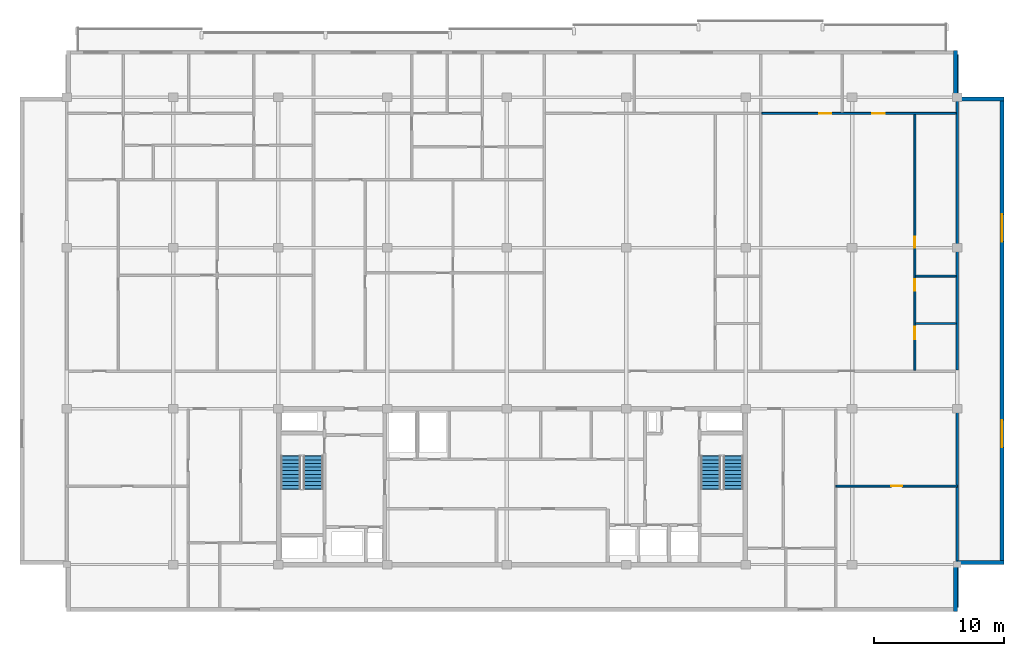
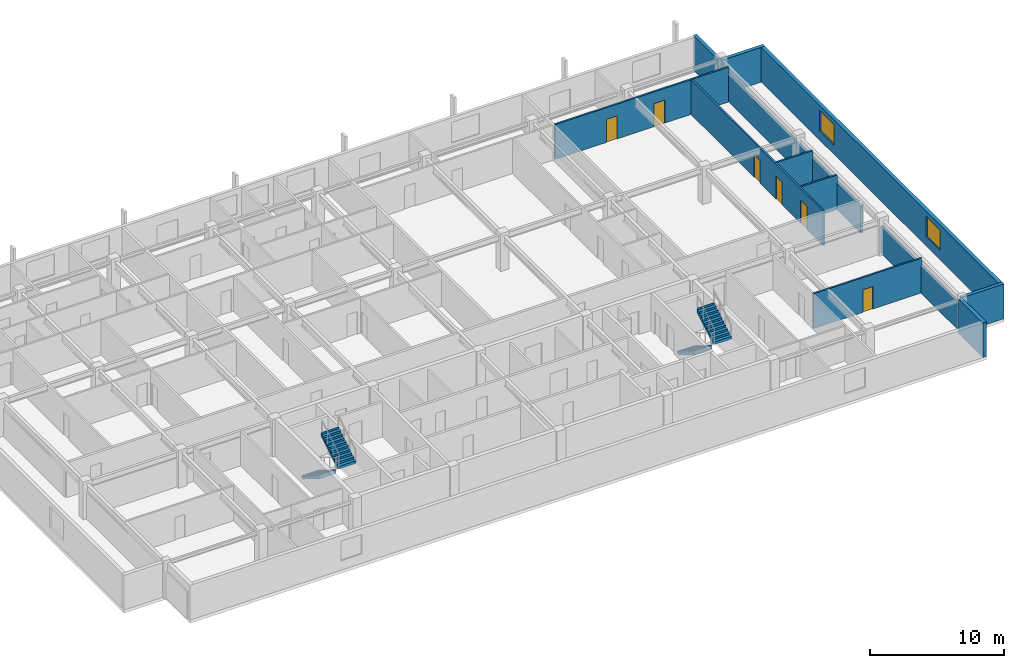
# One storey, part 9 of 11: 12 walls, 6 doors, 4 stair flights, 2 windows, 8 openings, 2 elements without a shape of their own.
"""IFC4 building model written with IfcOpenShell, lengths in metres."""

from ifc_helpers import new_model, si_unit, direction, frame, frame_2d, origin, place, context, subcontext, project, spatial, polyline, rectangle, outline, extrude, material, layer, layer_set, type_object, element, fill, aggregate, save


model = new_model("IFC4")

# Units and contexts
model_context = context("Model", 3, precision=1e-05, world=origin(), true_north=direction((0.0, 1.0)))
body_context = subcontext(model_context, "Body", "Model", "MODEL_VIEW")
ifc_project = project(units=[si_unit("LENGTHUNIT", "METRE"), si_unit("AREAUNIT", "SQUARE_METRE"), si_unit("VOLUMEUNIT", "CUBIC_METRE"), si_unit("PLANEANGLEUNIT", "RADIAN"), si_unit("MASSUNIT", "GRAM", prefix="KILO")], contexts=[model_context])

# Site, building, storey
site_placement = place(None, origin())
site = spatial("IfcSite", under=ifc_project, at=site_placement, CompositionType="ELEMENT")
building_placement = place(site_placement, origin())
building = spatial("IfcBuilding", under=site, at=building_placement, Name="Korimba Cascade Residences", CompositionType="ELEMENT")
storey_placement = place(building_placement, frame((0.0, 0.0, 249.35009765625)))
storey = spatial("IfcBuildingStorey", under=building, at=storey_placement, Name="L72", CompositionType="ELEMENT", Elevation=249.35009765625)

# Walls
ifc_material_1 = material(Name="Precast concrete C40/50", Category="concrete")
ifc_layer_1 = layer(ifc_material_1, 0.300048828125)
ifc_layer_set_1 = layer_set([ifc_layer_1], Name="Precast concrete C40/50")
wall_type_1 = type_object("IfcWallType", Name="EW-STONE-300", PredefinedType="STANDARD", material=ifc_layer_set_1)
wall_1_placement = place(storey_placement, frame((128.25, 51.60009765625, 0.0), z_axis=(0.0, 0.0, 1.0), x_axis=(0.0, 1.0, 0.0)))
element("IfcWall", 1, at=wall_1_placement, inside=storey, type_object=wall_type_1, Name="L72 T1 Perimeter Stone Wall E01", PredefinedType="STANDARD", context=body_context, shape_type="SweptSolid", body=[
    extrude(rectangle(XDim=3.599853515625, YDim=0.300048828125, at=frame_2d((1.7998046875, 0.0))), origin(), (0.0, 0.0, 1.0), 3.169921875),
])
wall_2_placement = place(storey_placement, frame((128.39990234375, 55.35009765625, 0.0), z_axis=(0.0, 0.0, 1.0), x_axis=(1.0, 0.0, 0.0)))
element("IfcWall", 2, at=wall_2_placement, inside=storey, type_object=wall_type_1, Name="L72 T1 Perimeter Stone Wall E02", PredefinedType="STANDARD", context=body_context, shape_type="SweptSolid", body=[
    extrude(rectangle(XDim=3.60009765625, YDim=0.300048828125, at=frame_2d((1.800048828125, 0.0))), origin(), (0.0, 0.0, 1.0), 3.169921875),
])

# Wall, openings, windows
wall_3_placement = place(storey_placement, frame((131.85009765625, 55.199951171875, 0.0), z_axis=(0.0, 0.0, 1.0), x_axis=(0.0, 1.0, 0.0)))
wall_3 = element("IfcWall", 3, at=wall_3_placement, inside=storey, type_object=wall_type_1, Name="L72 T1 Perimeter Stone Wall E03", PredefinedType="STANDARD", context=body_context, shape_type="SweptSolid", body=[
    extrude(rectangle(XDim=36.0, YDim=0.300048828125, at=frame_2d((18.0, 0.0))), origin(), (0.0, 0.0, 1.0), 3.169921875),
])
opening_1_placement = place(wall_3_placement, frame((9.030029296875, 0.0, 0.85009765625)))
opening_1 = element("IfcOpeningElement", 4, at=opening_1_placement, cuts=wall_3, Name="Opening W-03", PredefinedType="OPENING", context=body_context, shape_type="SweptSolid", body=[
    extrude(rectangle(XDim=2.10009765625, YDim=1.85009765625, at=frame_2d((1.050048828125, 0.925048828125))), frame((0.0, 0.16015625, 0.0), z_axis=(0.0, -1.0, 0.0), x_axis=(1.0, 0.0, 0.0)), (0.0, 0.0, 1.0), 0.320068359375),
])
opening_2_placement = place(wall_3_placement, frame((24.8701171875, 0.0, 0.85009765625)))
opening_2 = element("IfcOpeningElement", 5, at=opening_2_placement, cuts=wall_3, Name="Opening W-03", PredefinedType="OPENING", context=body_context, shape_type="SweptSolid", body=[
    extrude(rectangle(XDim=2.10009765625, YDim=1.85009765625, at=frame_2d((1.050048828125, 0.925048828125))), frame((0.0, 0.16015625, 0.0), z_axis=(0.0, -1.0, 0.0), x_axis=(1.0, 0.0, 0.0)), (0.0, 0.0, 1.0), 0.320068359375),
])
ifc_material_2 = material(Name="Double-Glazed Aluminium Window", Category="aluminium")
window_type = type_object("IfcWindowType", Name="WIN-CRN-2100", PartitioningType="DOUBLE_PANEL_HORIZONTAL", PredefinedType="WINDOW", material=ifc_material_2)
window_1_placement = place(opening_1_placement, origin())
window_1 = element("IfcWindow", 6, at=window_1_placement, inside=storey, type_object=window_type, Name="L72 T1 End View Window 3.1", OverallHeight=1.85009765625, OverallWidth=2.10009765625, PartitioningType="DOUBLE_PANEL_HORIZONTAL", PredefinedType="WINDOW", context=body_context, shape_type="SweptSolid", body=[
    extrude(rectangle(XDim=2.10009765625, YDim=1.85009765625, at=frame_2d((1.050048828125, 0.925048828125))), frame((0.0, 0.030029296875, 0.0), z_axis=(0.0, -1.0, 0.0), x_axis=(1.0, 0.0, 0.0)), (0.0, 0.0, 1.0), 0.06005859375),
])
fill(opening_1, window_1)
window_2_placement = place(opening_2_placement, origin())
window_2 = element("IfcWindow", 7, at=window_2_placement, inside=storey, type_object=window_type, Name="L72 T1 End View Window 3.2", OverallHeight=1.85009765625, OverallWidth=2.10009765625, PartitioningType="DOUBLE_PANEL_HORIZONTAL", PredefinedType="WINDOW", context=body_context, shape_type="SweptSolid", body=[
    extrude(rectangle(XDim=2.10009765625, YDim=1.85009765625, at=frame_2d((1.050048828125, 0.925048828125))), frame((0.0, 0.030029296875, 0.0), z_axis=(0.0, -1.0, 0.0), x_axis=(1.0, 0.0, 0.0)), (0.0, 0.0, 1.0), 0.06005859375),
])
fill(opening_2, window_2)

# Walls
for number, where, z_axis, x_axis, name in (
    (8, (132.0, 91.050048828125, 0.0), (0.0, 0.0, 1.0), (-1.0, 0.0, 0.0), "L72 T1 Perimeter Stone Wall E04"),
    (9, (128.25, 91.199951171875, 0.0), (0.0, 0.0, 1.0), (0.0, 1.0, 0.0), "L72 T1 Perimeter Stone Wall E05"),
):
    element("IfcWall", number, at=place(storey_placement, frame(where, z_axis=z_axis, x_axis=x_axis)), inside=storey, type_object=wall_type_1, Name=name, PredefinedType="STANDARD", context=body_context, shape_type="SweptSolid", body=[
        extrude(rectangle(XDim=3.60009765625, YDim=0.300048828125, at=frame_2d((1.800048828125, 0.0))), origin(), (0.0, 0.0, 1.0), 3.169921875),
    ])
ifc_layer_2 = layer(ifc_material_1, 0.199951171875)
ifc_layer_set_2 = layer_set([ifc_layer_2], Name="Precast concrete C40/50")
wall_type_2 = type_object("IfcWallType", Name="WAL-IT-200", PredefinedType="PARTITIONING", material=ifc_layer_set_2)
wall_4_placement = place(storey_placement, frame((128.39990234375, 51.89990234375, 0.0), z_axis=(0.0, 0.0, 1.0), x_axis=(0.0, 1.0, 0.0)))
element("IfcWall", 10, at=wall_4_placement, inside=storey, type_object=wall_type_2, Name="L72 Partition Wall WAL-L72-T1-FE-WR", PredefinedType="PARTITIONING", context=body_context, shape_type="SweptSolid", body=[
    extrude(rectangle(XDim=15.300048828125, YDim=0.199951171875, at=frame_2d((7.64990234375, 0.0))), origin(), (0.0, 0.0, 1.0), 2.47705078125),
])
wall_5_placement = place(storey_placement, frame((128.39990234375, 70.179931640625, 0.0), z_axis=(0.0, 0.0, 1.0), x_axis=(0.0, 1.0, 0.0)))
element("IfcWall", 11, at=wall_5_placement, inside=storey, type_object=wall_type_2, Name="L72 Partition Wall WAL-L72-T1-BNDWR", PredefinedType="PARTITIONING", context=body_context, shape_type="SweptSolid", body=[
    extrude(rectangle(XDim=24.320068359375, YDim=0.199951171875, at=frame_2d((12.16015625, 0.0))), origin(), (0.0, 0.0, 1.0), 2.47705078125),
])

# Wall, opening, door
ifc_material_3 = material(Name="Insulated Acoustic Stud Partition", Category="gypsum")
ifc_layer_3 = layer(ifc_material_3, 0.14990234375)
ifc_layer_set_3 = layer_set([ifc_layer_3], Name="Insulated Acoustic Stud Partition")
wall_type_3 = type_object("IfcWallType", Name="WAL-PART-150", PredefinedType="PARTITIONING", material=ifc_layer_set_3)
wall_6_placement = place(storey_placement, frame((119.050048828125, 61.25, 0.0), z_axis=(0.0, 0.0, 1.0), x_axis=(1.0, 0.0, 0.0)))
wall_6 = element("IfcWall", 12, at=wall_6_placement, inside=storey, type_object=wall_type_3, Name="L72 Partition Wall WAL-L72-T1-FE-STH", PredefinedType="PARTITIONING", context=body_context, shape_type="SweptSolid", body=[
    extrude(rectangle(XDim=9.349853515625, YDim=0.14990234375, at=frame_2d((4.6748046875, 0.0))), origin(), (0.0, 0.0, 1.0), 3.169921875),
])
opening_3_placement = place(wall_6_placement, frame((4.2548828125, 0.0, 0.0)))
opening_3 = element("IfcOpeningElement", 13, at=opening_3_placement, cuts=wall_6, Name="Opening D-BT1", PredefinedType="OPENING", context=body_context, shape_type="SweptSolid", body=[
    extrude(rectangle(XDim=0.840087890625, YDim=2.0400390625, at=frame_2d((0.419921875, 1.02001953125))), frame((0.0, 0.0849609375, 0.0), z_axis=(0.0, -1.0, 0.0), x_axis=(1.0, 0.0, 0.0)), (0.0, 0.0, 1.0), 0.169921875),
])
ifc_material_4 = material(Name="Moisture-Resistant Bathroom Timber Door", Category="wood")
door_type_1 = type_object("IfcDoorType", Name="DR-INT-850", OperationType="NOTDEFINED", PredefinedType="DOOR", material=ifc_material_4)
door_1_placement = place(opening_3_placement, origin())
door_1 = element("IfcDoor", 14, at=door_1_placement, inside=storey, type_object=door_type_1, Name="L72-T1-FE Dressing Store Door", OperationType="SINGLE_SWING_LEFT", OverallHeight=2.0400390625, OverallWidth=0.840087890625, PredefinedType="DOOR", context=body_context, shape_type="SweptSolid", body=[
    extrude(rectangle(XDim=0.840087890625, YDim=2.0400390625, at=frame_2d((0.419921875, 1.02001953125))), frame((0.0, 0.02490234375, 0.0), z_axis=(0.0, -1.0, 0.0), x_axis=(1.0, 0.0, 0.0)), (0.0, 0.0, 1.0), 0.050048828125),
])
fill(opening_3, door_1)

# Walls
for number, where, z_axis, x_axis, name in (
    (15, (125.18994140625, 73.77001953125, 0.0), (0.0, 0.0, 1.0), (1.0, 0.0, 0.0), "L72 Partition Wall WAL-L72-T1-U04-WCH"),
    (16, (125.18994140625, 77.419921875, 0.0), (0.0, 0.0, 1.0), (1.0, 0.0, 0.0), "L72 Partition Wall WAL-L72-T1-U04-WCH2"),
):
    element("IfcWall", number, at=place(storey_placement, frame(where, z_axis=z_axis, x_axis=x_axis)), inside=storey, type_object=wall_type_3, Name=name, PredefinedType="PARTITIONING", context=body_context, shape_type="SweptSolid", body=[
        extrude(rectangle(XDim=3.130126953125, YDim=0.14990234375, at=frame_2d((1.56494140625, 0.0))), origin(), (0.0, 0.0, 1.0), 3.169921875),
    ])

# Wall, openings, doors
wall_7_placement = place(storey_placement, frame((125.1298828125, 70.159912109375, 0.0), z_axis=(0.0, 0.0, 1.0), x_axis=(0.0, 1.0, 0.0)))
wall_7 = element("IfcWall", 17, at=wall_7_placement, inside=storey, type_object=wall_type_3, Name="L72 Partition Wall WAL-L72-T1-U04-WCV", PredefinedType="PARTITIONING", context=body_context, shape_type="SweptSolid", body=[
    extrude(rectangle(XDim=19.72998046875, YDim=0.14990234375, at=frame_2d((9.864990234375, 0.0))), origin(), (0.0, 0.0, 1.0), 3.169921875),
])
opening_4_placement = place(wall_7_placement, frame((2.406005859375, 0.0, 0.0)))
opening_4 = element("IfcOpeningElement", 18, at=opening_4_placement, cuts=wall_7, Name="Opening D-AC1", PredefinedType="OPENING", context=body_context, shape_type="SweptSolid", body=[
    extrude(rectangle(XDim=0.9599609375, YDim=2.10009765625, at=frame_2d((0.47998046875, 1.050048828125))), frame((0.0, 0.0849609375, 0.0), z_axis=(0.0, -1.0, 0.0), x_axis=(1.0, 0.0, 0.0)), (0.0, 0.0, 1.0), 0.169921875),
])
opening_5_placement = place(wall_7_placement, frame((6.132568359375, 0.0, 0.0)))
opening_5 = element("IfcOpeningElement", 19, at=opening_5_placement, cuts=wall_7, Name="Opening D-IN2", PredefinedType="OPENING", context=body_context, shape_type="SweptSolid", body=[
    extrude(rectangle(XDim=0.8798828125, YDim=2.06005859375, at=frame_2d((0.43994140625, 1.030029296875))), frame((0.0, 0.0849609375, 0.0), z_axis=(0.0, -1.0, 0.0), x_axis=(1.0, 0.0, 0.0)), (0.0, 0.0, 1.0), 0.169921875),
])
opening_6_placement = place(wall_7_placement, frame((9.445068359375, 0.0, 0.0)))
opening_6 = element("IfcOpeningElement", 20, at=opening_6_placement, cuts=wall_7, Name="Opening D-BT1", PredefinedType="OPENING", context=body_context, shape_type="SweptSolid", body=[
    extrude(rectangle(XDim=0.840087890625, YDim=2.0400390625, at=frame_2d((0.419921875, 1.02001953125))), frame((0.0, 0.0849609375, 0.0), z_axis=(0.0, -1.0, 0.0), x_axis=(1.0, 0.0, 0.0)), (0.0, 0.0, 1.0), 0.169921875),
])
ifc_material_5 = material(Name="Accessible Acoustic Timber WC Door", Category="wood")
door_type_2 = type_object("IfcDoorType", Name="DR-ACC-950", OperationType="NOTDEFINED", PredefinedType="DOOR", material=ifc_material_5)
door_2_placement = place(opening_4_placement, origin())
door_2 = element("IfcDoor", 21, at=door_2_placement, inside=storey, type_object=door_type_2, Name="L72-T1-U04 Accessible WC Door", OperationType="SINGLE_SWING_LEFT", OverallHeight=2.10009765625, OverallWidth=0.9599609375, PredefinedType="DOOR", context=body_context, shape_type="SweptSolid", body=[
    extrude(rectangle(XDim=0.9599609375, YDim=2.10009765625, at=frame_2d((0.47998046875, 1.050048828125))), frame((0.0, 0.02490234375, 0.0), z_axis=(0.0, -1.0, 0.0), x_axis=(1.0, 0.0, 0.0)), (0.0, 0.0, 1.0), 0.050048828125),
])
fill(opening_4, door_2)
door_3_placement = place(opening_6_placement, origin())
door_3 = element("IfcDoor", 22, at=door_3_placement, inside=storey, type_object=door_type_1, Name="L72-T1-U04 Suite Store Door", OperationType="SINGLE_SWING_LEFT", OverallHeight=2.0400390625, OverallWidth=0.840087890625, PredefinedType="DOOR", context=body_context, shape_type="SweptSolid", body=[
    extrude(rectangle(XDim=0.840087890625, YDim=2.0400390625, at=frame_2d((0.419921875, 1.02001953125))), frame((0.0, 0.02490234375, 0.0), z_axis=(0.0, -1.0, 0.0), x_axis=(1.0, 0.0, 0.0)), (0.0, 0.0, 1.0), 0.050048828125),
])
fill(opening_6, door_3)
ifc_material_6 = material(Name="Acoustic Timber Bedroom Door", Category="wood")
door_type_3 = type_object("IfcDoorType", Name="DR-INT-880", OperationType="NOTDEFINED", PredefinedType="DOOR", material=ifc_material_6)
door_4_placement = place(opening_5_placement, origin())
door_4 = element("IfcDoor", 23, at=door_4_placement, inside=storey, type_object=door_type_3, Name="L72-T1-U04 Restroom WC Door", OperationType="SINGLE_SWING_RIGHT", OverallHeight=2.06005859375, OverallWidth=0.8798828125, PredefinedType="DOOR", context=body_context, shape_type="SweptSolid", body=[
    extrude(rectangle(XDim=0.8798828125, YDim=2.06005859375, at=frame_2d((0.43994140625, 1.030029296875))), frame((0.0, 0.02490234375, 0.0), z_axis=(0.0, -1.0, 0.0), x_axis=(1.0, 0.0, 0.0)), (0.0, 0.0, 1.0), 0.050048828125),
])
fill(opening_5, door_4)

wall_8_placement = place(storey_placement, frame((113.339111328125, 89.949951171875, 0.0), z_axis=(0.0, 0.0, 1.0), x_axis=(1.0, 0.0, 0.0)))
wall_8 = element("IfcWall", 24, at=wall_8_placement, inside=storey, type_object=wall_type_3, Name="L72 Partition Wall WAL-L72-T1-U04-HZ", PredefinedType="PARTITIONING", context=body_context, shape_type="SweptSolid", body=[
    extrude(rectangle(XDim=14.98095703125, YDim=0.14990234375, at=frame_2d((7.490478515625, 0.0))), origin(), (0.0, 0.0, 1.0), 3.169921875),
])
opening_7_placement = place(wall_8_placement, frame((4.426025390625, 0.0, 0.0)))
opening_7 = element("IfcOpeningElement", 25, at=opening_7_placement, cuts=wall_8, Name="Opening D-IN0", PredefinedType="OPENING", context=body_context, shape_type="SweptSolid", body=[
    extrude(rectangle(XDim=0.93994140625, YDim=2.10009765625, at=frame_2d((0.469970703125, 1.050048828125))), frame((0.0, 0.0849609375, 0.0), z_axis=(0.0, -1.0, 0.0), x_axis=(1.0, 0.0, 0.0)), (0.0, 0.0, 1.0), 0.169921875),
])
opening_8_placement = place(wall_8_placement, frame((8.518310546875, 0.0, 0.0)))
opening_8 = element("IfcOpeningElement", 26, at=opening_8_placement, cuts=wall_8, Name="Opening D-IN0", PredefinedType="OPENING", context=body_context, shape_type="SweptSolid", body=[
    extrude(rectangle(XDim=0.93994140625, YDim=2.10009765625, at=frame_2d((0.469970703125, 1.050048828125))), frame((0.0, 0.0849609375, 0.0), z_axis=(0.0, -1.0, 0.0), x_axis=(1.0, 0.0, 0.0)), (0.0, 0.0, 1.0), 0.169921875),
])
ifc_material_7 = material(Name="Acoustic Timber Living Archway Door", Category="wood")
door_type_4 = type_object("IfcDoorType", Name="DR-INT-950", OperationType="NOTDEFINED", PredefinedType="DOOR", material=ifc_material_7)
door_5_placement = place(opening_7_placement, origin())
door_5 = element("IfcDoor", 27, at=door_5_placement, inside=storey, type_object=door_type_4, Name="L72-T1-U04 Executive Co-Working Office Door", OperationType="SINGLE_SWING_RIGHT", OverallHeight=2.10009765625, OverallWidth=0.93994140625, PredefinedType="DOOR", context=body_context, shape_type="SweptSolid", body=[
    extrude(rectangle(XDim=0.93994140625, YDim=2.10009765625, at=frame_2d((0.469970703125, 1.050048828125))), frame((0.0, 0.02490234375, 0.0), z_axis=(0.0, -1.0, 0.0), x_axis=(1.0, 0.0, 0.0)), (0.0, 0.0, 1.0), 0.050048828125),
])
fill(opening_7, door_5)
door_6_placement = place(opening_8_placement, origin())
door_6 = element("IfcDoor", 28, at=door_6_placement, inside=storey, type_object=door_type_4, Name="L72-T1-U04 Focus Workstation Office Door", OperationType="SINGLE_SWING_LEFT", OverallHeight=2.10009765625, OverallWidth=0.93994140625, PredefinedType="DOOR", context=body_context, shape_type="SweptSolid", body=[
    extrude(rectangle(XDim=0.93994140625, YDim=2.10009765625, at=frame_2d((0.469970703125, 1.050048828125))), frame((0.0, 0.02490234375, 0.0), z_axis=(0.0, -1.0, 0.0), x_axis=(1.0, 0.0, 0.0)), (0.0, 0.0, 1.0), 0.050048828125),
])
fill(opening_8, door_6)

# Stair, stair flights
ifc_material_8 = material(Name="Concrete C50/60", Category="concrete")
stair_type_1 = type_object("IfcStairType", Name="STR-W1-20R-1725", PredefinedType="HALF_TURN_STAIR", material=ifc_material_8)
stair_1_placement = place(storey_placement, origin())
stair_1 = element("IfcStair", 29, at=stair_1_placement, inside=storey, type_object=stair_type_1, Name="L72 Tower 1 West Fire Stair ST-W1", PredefinedType="HALF_TURN_STAIR")
stair_flight_type = type_object("IfcStairFlightType", Name="STF-DL-20R-1725-1520", PredefinedType="STRAIGHT", material=ifc_material_8)
stair_flight_1_placement = place(storey_placement, frame((77.06005859375, 63.550048828125, 0.0), z_axis=(0.0, 0.0, 1.0), x_axis=(0.0, -1.0, 0.0)))
stair_flight_1 = element("IfcStairFlight", 30, at=stair_flight_1_placement, type_object=stair_flight_type, Name="ST-W1 flight 1", NumberOfRisers=10, NumberOfTreads=9, PredefinedType="STRAIGHT", RiserHeight=0.1725, TreadLength=0.28, context=body_context, shape_type="SweptSolid", body=[
    extrude(outline(polyline([(-0.0380859375, 0.0), (0.0, 0.172607421875), (0.280029296875, 0.172607421875), (0.280029296875, 0.344970703125), (0.56005859375, 0.344970703125), (0.56005859375, 0.517578125), (0.840087890625, 0.517578125), (0.840087890625, 0.68994140625), (1.1201171875, 0.68994140625), (1.1201171875, 0.862548828125), (1.39990234375, 0.862548828125), (1.39990234375, 1.034912109375), (1.679931640625, 1.034912109375), (1.679931640625, 1.20751953125), (1.9599609375, 1.20751953125), (1.9599609375, 1.3798828125), (2.239990234375, 1.3798828125), (2.239990234375, 1.552490234375), (2.52001953125, 1.552490234375), (2.52001953125, 1.72509765625), (2.55810546875, 1.72509765625), (2.55810546875, 1.37646484375), (0.285888671875, 0.0), (0.285888671875, -0.0380859375), (-0.0380859375, -0.0380859375), (-0.0380859375, 0.0)])), frame((0.0, 0.760009765625, 0.0), z_axis=(0.0, -1.0, 0.0), x_axis=(1.0, 0.0, 0.0)), (0.0, 0.0, 1.0), 1.52001953125),
])
stair_flight_2_placement = place(storey_placement, frame((78.780029296875, 61.030029296875, 1.724853515625), z_axis=(0.0, 0.0, 1.0), x_axis=(0.0, 1.0, 0.0)))
stair_flight_2 = element("IfcStairFlight", 31, at=stair_flight_2_placement, type_object=stair_flight_type, Name="ST-W1 flight 2", NumberOfRisers=10, NumberOfTreads=9, PredefinedType="STRAIGHT", RiserHeight=0.1725, TreadLength=0.28, context=body_context, shape_type="SweptSolid", body=[
    extrude(outline(polyline([(-0.0380859375, 0.0), (0.0, 0.172607421875), (0.280029296875, 0.172607421875), (0.280029296875, 0.344970703125), (0.56005859375, 0.344970703125), (0.56005859375, 0.517578125), (0.840087890625, 0.517578125), (0.840087890625, 0.68994140625), (1.1201171875, 0.68994140625), (1.1201171875, 0.862548828125), (1.39990234375, 0.862548828125), (1.39990234375, 1.034912109375), (1.679931640625, 1.034912109375), (1.679931640625, 1.20751953125), (1.9599609375, 1.20751953125), (1.9599609375, 1.3798828125), (2.239990234375, 1.3798828125), (2.239990234375, 1.552490234375), (2.52001953125, 1.552490234375), (2.52001953125, 1.72509765625), (2.55810546875, 1.72509765625), (2.55810546875, 1.37646484375), (0.285888671875, 0.0), (0.285888671875, -0.0380859375), (-0.0380859375, -0.0380859375), (-0.0380859375, 0.0)])), frame((0.0, 0.760009765625, 0.0), z_axis=(0.0, -1.0, 0.0), x_axis=(1.0, 0.0, 0.0)), (0.0, 0.0, 1.0), 1.52001953125),
])
aggregate(stair_1, [stair_flight_1, stair_flight_2])

stair_type_2 = type_object("IfcStairType", Name="STR-W2-20R-1725", PredefinedType="HALF_TURN_STAIR", material=ifc_material_8)
stair_2_placement = place(storey_placement, origin())
stair_2 = element("IfcStair", 32, at=stair_2_placement, inside=storey, type_object=stair_type_2, Name="L72 Tower 1 East Fire Stair ST-W2", PredefinedType="HALF_TURN_STAIR")
stair_flight_3_placement = place(storey_placement, frame((109.419921875, 63.550048828125, 0.0), z_axis=(0.0, 0.0, 1.0), x_axis=(0.0, -1.0, 0.0)))
stair_flight_3 = element("IfcStairFlight", 33, at=stair_flight_3_placement, type_object=stair_flight_type, Name="ST-W2 flight 1", NumberOfRisers=10, NumberOfTreads=9, PredefinedType="STRAIGHT", RiserHeight=0.1725, TreadLength=0.28, context=body_context, shape_type="SweptSolid", body=[
    extrude(outline(polyline([(-0.0380859375, 0.0), (0.0, 0.172607421875), (0.280029296875, 0.172607421875), (0.280029296875, 0.344970703125), (0.56005859375, 0.344970703125), (0.56005859375, 0.517578125), (0.840087890625, 0.517578125), (0.840087890625, 0.68994140625), (1.1201171875, 0.68994140625), (1.1201171875, 0.862548828125), (1.39990234375, 0.862548828125), (1.39990234375, 1.034912109375), (1.679931640625, 1.034912109375), (1.679931640625, 1.20751953125), (1.9599609375, 1.20751953125), (1.9599609375, 1.3798828125), (2.239990234375, 1.3798828125), (2.239990234375, 1.552490234375), (2.52001953125, 1.552490234375), (2.52001953125, 1.72509765625), (2.55810546875, 1.72509765625), (2.55810546875, 1.37646484375), (0.285888671875, 0.0), (0.285888671875, -0.0380859375), (-0.0380859375, -0.0380859375), (-0.0380859375, 0.0)])), frame((0.0, 0.760009765625, 0.0), z_axis=(0.0, -1.0, 0.0), x_axis=(1.0, 0.0, 0.0)), (0.0, 0.0, 1.0), 1.52001953125),
])
stair_flight_4_placement = place(storey_placement, frame((111.139892578125, 61.030029296875, 1.724853515625), z_axis=(0.0, 0.0, 1.0), x_axis=(0.0, 1.0, 0.0)))
stair_flight_4 = element("IfcStairFlight", 34, at=stair_flight_4_placement, type_object=stair_flight_type, Name="ST-W2 flight 2", NumberOfRisers=10, NumberOfTreads=9, PredefinedType="STRAIGHT", RiserHeight=0.1725, TreadLength=0.28, context=body_context, shape_type="SweptSolid", body=[
    extrude(outline(polyline([(-0.0380859375, 0.0), (0.0, 0.172607421875), (0.280029296875, 0.172607421875), (0.280029296875, 0.344970703125), (0.56005859375, 0.344970703125), (0.56005859375, 0.517578125), (0.840087890625, 0.517578125), (0.840087890625, 0.68994140625), (1.1201171875, 0.68994140625), (1.1201171875, 0.862548828125), (1.39990234375, 0.862548828125), (1.39990234375, 1.034912109375), (1.679931640625, 1.034912109375), (1.679931640625, 1.20751953125), (1.9599609375, 1.20751953125), (1.9599609375, 1.3798828125), (2.239990234375, 1.3798828125), (2.239990234375, 1.552490234375), (2.52001953125, 1.552490234375), (2.52001953125, 1.72509765625), (2.55810546875, 1.72509765625), (2.55810546875, 1.37646484375), (0.285888671875, 0.0), (0.285888671875, -0.0380859375), (-0.0380859375, -0.0380859375), (-0.0380859375, 0.0)])), frame((0.0, 0.760009765625, 0.0), z_axis=(0.0, -1.0, 0.0), x_axis=(1.0, 0.0, 0.0)), (0.0, 0.0, 1.0), 1.52001953125),
])
aggregate(stair_2, [stair_flight_3, stair_flight_4])

save(model, "model.ifc")
